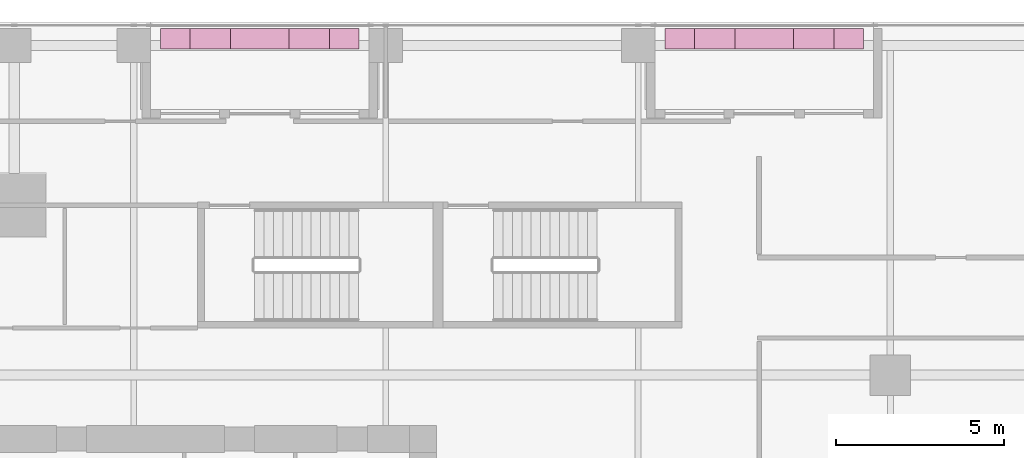
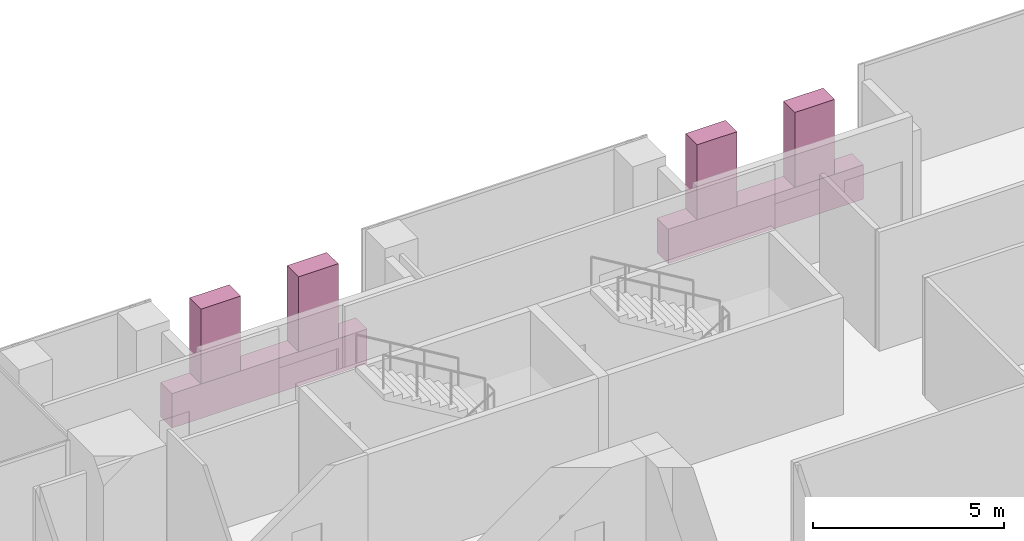
# One storey, part 38 of 38: 6 furnishings.
"""IFC4 building model written with IfcOpenShell, lengths in metres."""

from ifc_helpers import new_model, si_unit, direction, frame, origin, origin_2d, place, context, subcontext, project, spatial, rectangle, extrude, source, transform, mapped, material, type_object, element, save


model = new_model("IFC4")

# Units and contexts
model_context = context("Model", 3, precision=1e-05, world=origin(), true_north=direction((0.0, 1.0)))
body_context = subcontext(model_context, "Body", "Model", "MODEL_VIEW")
ifc_project = project(units=[si_unit("LENGTHUNIT", "METRE"), si_unit("AREAUNIT", "SQUARE_METRE"), si_unit("VOLUMEUNIT", "CUBIC_METRE"), si_unit("PLANEANGLEUNIT", "RADIAN"), si_unit("MASSUNIT", "GRAM", prefix="KILO")], contexts=[model_context])

# Site, building, storey
site_placement = place(None, origin())
site = spatial("IfcSite", under=ifc_project, at=site_placement, CompositionType="ELEMENT")
building_placement = place(site_placement, origin())
building = spatial("IfcBuilding", under=site, at=building_placement, Name="Khomas Fold Tower", CompositionType="ELEMENT")
storey_placement = place(building_placement, frame((0.0, 0.0, 208.699951171875)))
storey = spatial("IfcBuildingStorey", under=building, at=storey_placement, Name="L46", CompositionType="ELEMENT", Elevation=208.699951171875)

# Furnishings
ifc_material_1 = material(Name="Precast concrete C40/50", Category="concrete")
furnishing_element_type_1 = type_object("IfcFurnishingElementType", Name="BL-Structural planter box", material=ifc_material_1)
shared_shape_1 = source(origin(), body_context, "Body", "SweptSolid", [
    extrude(rectangle(XDim=5.89990234375, YDim=0.60009765625, at=origin_2d()), origin(), (0.0, 0.0, 1.0), 1.10009765625),
])
for number, where, z_axis, x_axis, name in (
    (1, (15.75, 50.5, -0.044921875), (0.0, 0.0, 1.0), (1.0, 0.0, 0.0), "PLANTER BAL-L46-N1"),
    (2, (30.75, 50.5, -0.044921875), (0.0, 0.0, 1.0), (1.0, 0.0, 0.0), "PLANTER BAL-L46-N3"),
):
    element("IfcFurnishingElement", number, at=place(storey_placement, frame(where, z_axis=z_axis, x_axis=x_axis)), inside=storey, type_object=furnishing_element_type_1, Name=name, context=body_context, shape_type="MappedRepresentation", body=[
        mapped(shared_shape_1, transform((0.0, 0.0, 0.0))),
    ])
ifc_material_2 = material(Name="Planting")
furnishing_element_type_2 = type_object("IfcFurnishingElementType", Name="BL-Tree Shepherd's tree", material=ifc_material_2)
shared_shape_2 = source(origin(), body_context, "Body", "SweptSolid", [
    extrude(rectangle(XDim=1.199951171875, YDim=0.60009765625, at=origin_2d()), origin(), (0.0, 0.0, 1.0), 2.39501953125),
])
furnishing_1_placement = place(storey_placement, frame((14.27490234375, 50.5, 1.054931640625), z_axis=(0.0, 0.0, 1.0), x_axis=(1.0, 0.0, 0.0)))
element("IfcFurnishingElement", 3, at=furnishing_1_placement, inside=storey, type_object=furnishing_element_type_2, Name="PLANTER (TREE) Shepherd's tree BAL-L46-N1-1", context=body_context, shape_type="MappedRepresentation", body=[
    mapped(shared_shape_2, transform((0.0, 0.0, 0.0))),
])
ifc_material_3 = material(Name="Planting")
furnishing_element_type_3 = type_object("IfcFurnishingElementType", Name="BL-Tree Karee", material=ifc_material_3)
for number, where, z_axis, x_axis, name in (
    (4, (17.22509765625, 50.5, 1.054931640625), (0.0, 0.0, 1.0), (1.0, 0.0, 0.0), "PLANTER (TREE) Karee BAL-L46-N1-2"),
    (5, (29.27490234375, 50.5, 1.054931640625), (0.0, 0.0, 1.0), (1.0, 0.0, 0.0), "PLANTER (TREE) Karee BAL-L46-N3-1"),
):
    element("IfcFurnishingElement", number, at=place(storey_placement, frame(where, z_axis=z_axis, x_axis=x_axis)), inside=storey, type_object=furnishing_element_type_3, Name=name, context=body_context, shape_type="MappedRepresentation", body=[
        mapped(shared_shape_2, transform((0.0, 0.0, 0.0))),
    ])
ifc_material_4 = material(Name="Planting")
furnishing_element_type_4 = type_object("IfcFurnishingElementType", Name="BL-Tree Wild olive", material=ifc_material_4)
furnishing_2_placement = place(storey_placement, frame((32.22509765625, 50.5, 1.054931640625), z_axis=(0.0, 0.0, 1.0), x_axis=(1.0, 0.0, 0.0)))
element("IfcFurnishingElement", 6, at=furnishing_2_placement, inside=storey, type_object=furnishing_element_type_4, Name="PLANTER (TREE) Wild olive BAL-L46-N3-2", context=body_context, shape_type="MappedRepresentation", body=[
    mapped(shared_shape_2, transform((0.0, 0.0, 0.0))),
])

save(model, "model.ifc")
